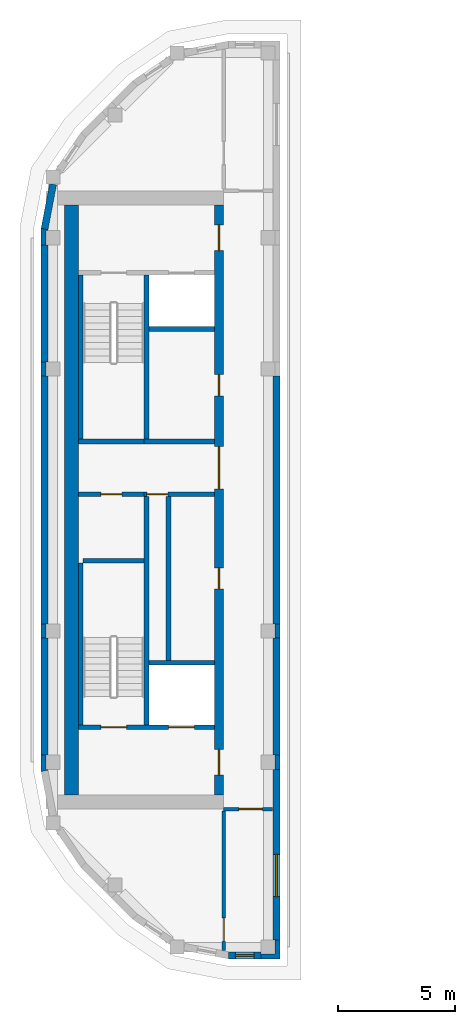
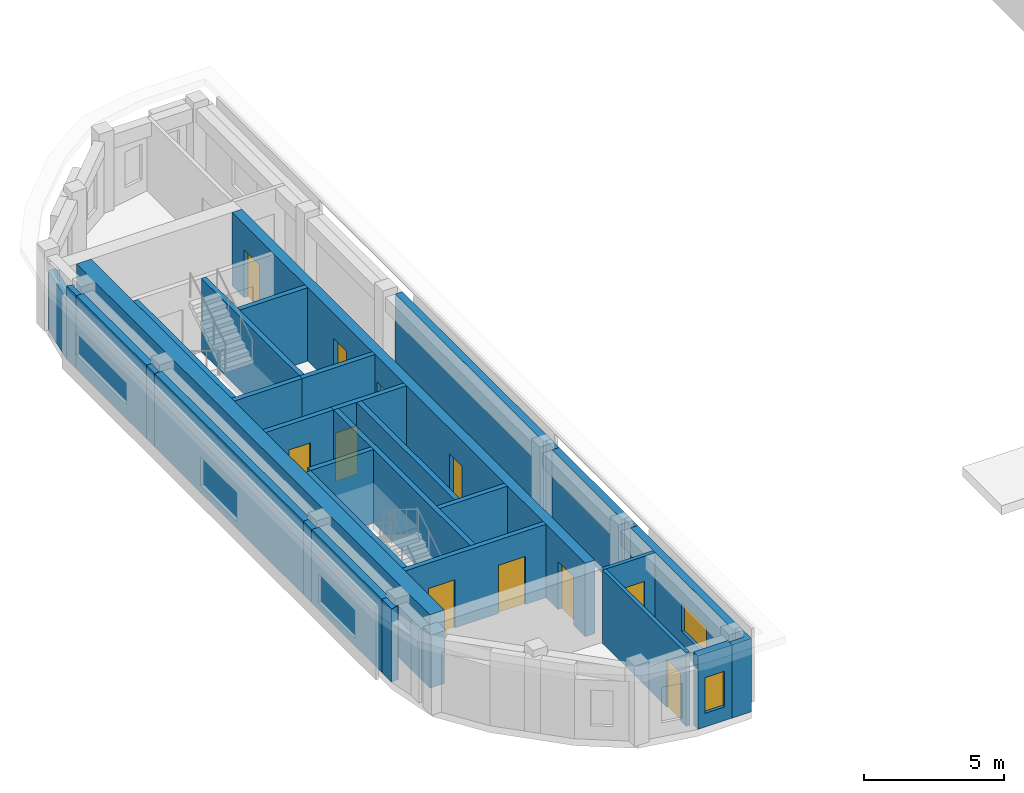
# One storey, part 2 of 11: 32 walls, 11 doors, 2 windows, 13 openings.
"""IFC4 building model written with IfcOpenShell, lengths in metres."""

from ifc_helpers import new_model, si_unit, direction, frame, frame_2d, origin, place, context, subcontext, project, spatial, polyline, rectangle, outline, extrude, material, layer, layer_set, type_object, element, fill, save


model = new_model("IFC4")

# Units and contexts
model_context = context("Model", 3, precision=1e-05, world=origin(), true_north=direction((0.0, 1.0)))
body_context = subcontext(model_context, "Body", "Model", "MODEL_VIEW")
ifc_project = project(units=[si_unit("LENGTHUNIT", "METRE"), si_unit("AREAUNIT", "SQUARE_METRE"), si_unit("VOLUMEUNIT", "CUBIC_METRE"), si_unit("PLANEANGLEUNIT", "RADIAN"), si_unit("MASSUNIT", "GRAM", prefix="KILO")], contexts=[model_context])

# Site, building, storey
site_placement = place(None, origin())
site = spatial("IfcSite", under=ifc_project, at=site_placement, CompositionType="ELEMENT")
building_placement = place(site_placement, origin())
building = spatial("IfcBuilding", under=site, at=building_placement, Name="Kiln Ring Residences", CompositionType="ELEMENT")
storey_placement = place(building_placement, frame((0.0, 0.0, 303.39990234375)))
storey = spatial("IfcBuildingStorey", under=building, at=storey_placement, Name="L78 Crown", CompositionType="ELEMENT", Elevation=303.39990234375)

# Wall, opening, door
ifc_material_1 = material(Name="Gypsum board on steel studs", Category="steel")
ifc_layer_1 = layer(ifc_material_1, 0.199951171875)
ifc_layer_set_1 = layer_set([ifc_layer_1], Name="CORE-PARTITION-200")
wall_type_1 = type_object("IfcWallType", Name="CORE-PARTITION-200", PredefinedType="PARTITIONING", material=ifc_layer_set_1)
wall_1_placement = place(storey_placement, frame((-20.800048828125, 0.25, 0.0), z_axis=(0.0, 0.0, 1.0), x_axis=(-1.0, 0.0, 0.0)))
wall_1 = element("IfcWall", 1, at=wall_1_placement, inside=storey, type_object=wall_type_1, Name="Core partition west L78 Crown 1", PredefinedType="PARTITIONING", context=body_context, shape_type="SweptSolid", body=[
    extrude(rectangle(XDim=2.800048828125, YDim=0.199951171875, at=frame_2d((1.39990234375, 0.0))), origin(), (0.0, 0.0, 1.0), 3.2001953125),
])
opening_1_placement = place(wall_1_placement, frame((0.949951171875, 0.0, 0.0)))
opening_1 = element("IfcOpeningElement", 2, at=opening_1_placement, cuts=wall_1, Name="Opening L78-CW11", PredefinedType="OPENING", context=body_context, shape_type="SweptSolid", body=[
    extrude(rectangle(XDim=0.89990234375, YDim=2.10009765625, at=frame_2d((0.449951171875, 1.050048828125))), frame((0.0, 0.10986328125, 0.0), z_axis=(0.0, -1.0, 0.0), x_axis=(1.0, 0.0, 0.0)), (0.0, 0.0, 1.0), 0.219970703125),
])
ifc_material_2 = material(Name="Steel door leaf", Category="steel")
door_type_1 = type_object("IfcDoorType", Name="CORE-DOOR-ROOM", OperationType="SINGLE_SWING_LEFT", PredefinedType="DOOR", material=ifc_material_2)
door_1_placement = place(opening_1_placement, origin())
door_1 = element("IfcDoor", 3, at=door_1_placement, inside=storey, type_object=door_type_1, Name="Linen store L78-CW11", OperationType="SINGLE_SWING_LEFT", OverallHeight=2.10009765625, OverallWidth=0.89990234375, PredefinedType="DOOR", context=body_context, shape_type="SweptSolid", body=[
    extrude(rectangle(XDim=0.89990234375, YDim=2.10009765625, at=frame_2d((0.449951171875, 1.050048828125))), frame((0.0, 0.02490234375, 0.0), z_axis=(0.0, -1.0, 0.0), x_axis=(1.0, 0.0, 0.0)), (0.0, 0.0, 1.0), 0.050048828125),
])
fill(opening_1, door_1)

# Walls
wall_2_placement = place(storey_placement, frame((-19.760009765625, -6.85009765625, 0.0), z_axis=(0.0, 0.0, 1.0), x_axis=(0.0, 1.0, 0.0)))
element("IfcWall", 4, at=wall_2_placement, inside=storey, type_object=wall_type_1, Name="Core partition west L78 Crown 2", PredefinedType="PARTITIONING", context=body_context, shape_type="SweptSolid", body=[
    extrude(rectangle(XDim=7.0, YDim=0.199951171875, at=frame_2d((3.5, 0.0))), origin(), (0.0, 0.0, 1.0), 3.2001953125),
])
ifc_material_3 = material(Name="Gypsum shaft wall system")
ifc_layer_2 = layer(ifc_material_3, 0.199951171875)
ifc_layer_set_2 = layer_set([ifc_layer_2], Name="CORE-SHAFT-WALL-200")
wall_type_2 = type_object("IfcWallType", Name="CORE-SHAFT-WALL-200", PredefinedType="PARTITIONING", material=ifc_layer_set_2)
wall_3_placement = place(storey_placement, frame((-17.800048828125, -6.949951171875, 0.0), z_axis=(0.0, 0.0, 1.0), x_axis=(-1.0, 0.0, 0.0)))
element("IfcWall", 5, at=wall_3_placement, inside=storey, type_object=wall_type_2, Name="Core partition west L78 Crown 3", PredefinedType="PARTITIONING", context=body_context, shape_type="SweptSolid", body=[
    extrude(rectangle(XDim=2.800048828125, YDim=0.199951171875, at=frame_2d((1.39990234375, 0.0))), origin(), (0.0, 0.0, 1.0), 3.2001953125),
])

# Wall, opening, door
wall_4_placement = place(storey_placement, frame((-17.800048828125, 0.25, 0.0), z_axis=(0.0, 0.0, 1.0), x_axis=(-1.0, 0.0, 0.0)))
wall_4 = element("IfcWall", 6, at=wall_4_placement, inside=storey, type_object=wall_type_2, Name="Core partition west L78 Crown 4", PredefinedType="PARTITIONING", context=body_context, shape_type="SweptSolid", body=[
    extrude(rectangle(XDim=3.0, YDim=0.199951171875, at=frame_2d((1.5, 0.0))), origin(), (0.0, 0.0, 1.0), 3.2001953125),
])
opening_2_placement = place(wall_4_placement, frame((1.97998046875, 0.0, 0.0)))
opening_2 = element("IfcOpeningElement", 7, at=opening_2_placement, cuts=wall_4, Name="Opening L78-CW03", PredefinedType="OPENING", context=body_context, shape_type="SweptSolid", body=[
    extrude(rectangle(XDim=0.89990234375, YDim=2.10009765625, at=frame_2d((0.449951171875, 1.050048828125))), frame((0.0, 0.10986328125, 0.0), z_axis=(0.0, -1.0, 0.0), x_axis=(1.0, 0.0, 0.0)), (0.0, 0.0, 1.0), 0.219970703125),
])
door_2_placement = place(opening_2_placement, origin())
door_2 = element("IfcDoor", 8, at=door_2_placement, inside=storey, type_object=door_type_1, Name="Waste room L78-CW03", OperationType="SINGLE_SWING_LEFT", OverallHeight=2.10009765625, OverallWidth=0.89990234375, PredefinedType="DOOR", context=body_context, shape_type="SweptSolid", body=[
    extrude(rectangle(XDim=0.89990234375, YDim=2.10009765625, at=frame_2d((0.449951171875, 1.050048828125))), frame((0.0, 0.02490234375, 0.0), z_axis=(0.0, -1.0, 0.0), x_axis=(1.0, 0.0, 0.0)), (0.0, 0.0, 1.0), 0.050048828125),
])
fill(opening_2, door_2)

# Walls
wall_5_placement = place(storey_placement, frame((-17.800048828125, 2.5, 0.0), z_axis=(0.0, 0.0, 1.0), x_axis=(-1.0, 0.0, 0.0)))
element("IfcWall", 9, at=wall_5_placement, inside=storey, type_object=wall_type_2, Name="Core partition west L78 Crown 5", PredefinedType="PARTITIONING", context=body_context, shape_type="SweptSolid", body=[
    extrude(rectangle(XDim=3.0, YDim=0.199951171875, at=frame_2d((1.5, 0.0))), origin(), (0.0, 0.0, 1.0), 3.2001953125),
])
wall_6_placement = place(storey_placement, frame((-17.800048828125, 7.300048828125, 0.0), z_axis=(0.0, 0.0, 1.0), x_axis=(-1.0, 0.0, 0.0)))
element("IfcWall", 10, at=wall_6_placement, inside=storey, type_object=wall_type_2, Name="Core partition west L78 Crown 6", PredefinedType="PARTITIONING", context=body_context, shape_type="SweptSolid", body=[
    extrude(rectangle(XDim=2.800048828125, YDim=0.199951171875, at=frame_2d((1.39990234375, 0.0))), origin(), (0.0, 0.0, 1.0), 3.2001953125),
])
ifc_material_4 = material(Name="Concrete C40/50", Category="concrete")
ifc_layer_3 = layer(ifc_material_4, 0.199951171875)
ifc_layer_set_3 = layer_set([ifc_layer_3], Name="CORE-WALL-RC200")
wall_type_3 = type_object("IfcWallType", Name="CORE-WALL-RC200", PredefinedType="SHEAR", material=ifc_layer_set_3)
wall_7_placement = place(storey_placement, frame((-20.699951171875, 2.60009765625, 0.0), z_axis=(0.0, 0.0, 1.0), x_axis=(0.0, 1.0, 0.0)))
element("IfcWall", 11, at=wall_7_placement, inside=storey, type_object=wall_type_3, Name="Core wall west L78 Crown 1", PredefinedType="SHEAR", context=body_context, shape_type="SweptSolid", body=[
    extrude(rectangle(XDim=7.0, YDim=0.199951171875, at=frame_2d((3.5, 0.0))), origin(), (0.0, 0.0, 1.0), 3.2001953125),
])
wall_8_placement = place(storey_placement, frame((-20.699951171875, -9.60009765625, 0.0), z_axis=(0.0, 0.0, 1.0), x_axis=(0.0, 1.0, 0.0)))
element("IfcWall", 12, at=wall_8_placement, inside=storey, type_object=wall_type_3, Name="Core wall west L78 Crown 2", PredefinedType="SHEAR", context=body_context, shape_type="SweptSolid", body=[
    extrude(rectangle(XDim=9.75, YDim=0.199951171875, at=frame_2d((4.875, 0.0))), origin(), (0.0, 0.0, 1.0), 3.2001953125),
])
wall_9_placement = place(storey_placement, frame((-20.800048828125, 2.5, 0.0), z_axis=(0.0, 0.0, 1.0), x_axis=(-1.0, 0.0, 0.0)))
element("IfcWall", 13, at=wall_9_placement, inside=storey, type_object=wall_type_3, Name="Core wall west L78 Crown 3", PredefinedType="SHEAR", context=body_context, shape_type="SweptSolid", body=[
    extrude(rectangle(XDim=2.800048828125, YDim=0.199951171875, at=frame_2d((1.39990234375, 0.0))), origin(), (0.0, 0.0, 1.0), 3.2001953125),
])

# Wall, openings, doors
wall_10_placement = place(storey_placement, frame((-17.800048828125, -9.699951171875, 0.0), z_axis=(0.0, 0.0, 1.0), x_axis=(-1.0, 0.0, 0.0)))
wall_10 = element("IfcWall", 14, at=wall_10_placement, inside=storey, type_object=wall_type_3, Name="Core wall west L78 Crown 8", PredefinedType="SHEAR", context=body_context, shape_type="SweptSolid", body=[
    extrude(rectangle(XDim=5.800048828125, YDim=0.199951171875, at=frame_2d((2.89990234375, 0.0))), origin(), (0.0, 0.0, 1.0), 3.2001953125),
])
opening_3_placement = place(wall_10_placement, frame((0.85009765625, 0.0, 0.0)))
opening_3 = element("IfcOpeningElement", 15, at=opening_3_placement, cuts=wall_10, Name="Opening L78-CW01", PredefinedType="OPENING", context=body_context, shape_type="SweptSolid", body=[
    extrude(rectangle(XDim=1.10009765625, YDim=2.10009765625, at=frame_2d((0.550048828125, 1.050048828125))), frame((0.0, 0.10986328125, 0.0), z_axis=(0.0, -1.0, 0.0), x_axis=(1.0, 0.0, 0.0)), (0.0, 0.0, 1.0), 0.219970703125),
])
opening_4_placement = place(wall_10_placement, frame((3.75, 0.0, 0.0)))
opening_4 = element("IfcOpeningElement", 16, at=opening_4_placement, cuts=wall_10, Name="Opening L78-CW09", PredefinedType="OPENING", context=body_context, shape_type="SweptSolid", body=[
    extrude(rectangle(XDim=1.10009765625, YDim=2.10009765625, at=frame_2d((0.550048828125, 1.050048828125))), frame((0.0, 0.10986328125, 0.0), z_axis=(0.0, -1.0, 0.0), x_axis=(1.0, 0.0, 0.0)), (0.0, 0.0, 1.0), 0.219970703125),
])
ifc_material_5 = material(Name="Steel door leaf", Category="steel")
door_type_2 = type_object("IfcDoorType", Name="CORE-DOOR-LD", OperationType="DOUBLE_DOOR_SLIDING", PredefinedType="DOOR", material=ifc_material_5)
door_3_placement = place(opening_3_placement, origin())
door_3 = element("IfcDoor", 17, at=door_3_placement, inside=storey, type_object=door_type_2, Name="LD W-SV L78-CW01", OperationType="DOUBLE_DOOR_SLIDING", OverallHeight=2.10009765625, OverallWidth=1.10009765625, PredefinedType="DOOR", context=body_context, shape_type="SweptSolid", body=[
    extrude(rectangle(XDim=1.10009765625, YDim=2.10009765625, at=frame_2d((0.550048828125, 1.050048828125))), frame((0.0, 0.02490234375, 0.0), z_axis=(0.0, -1.0, 0.0), x_axis=(1.0, 0.0, 0.0)), (0.0, 0.0, 1.0), 0.050048828125),
])
fill(opening_3, door_3)
ifc_material_6 = material(Name="Steel door leaf", Category="steel")
door_type_3 = type_object("IfcDoorType", Name="CORE-DOOR-STAIR", OperationType="SINGLE_SWING_LEFT", PredefinedType="DOOR", material=ifc_material_6)
door_4_placement = place(opening_4_placement, origin())
door_4 = element("IfcDoor", 18, at=door_4_placement, inside=storey, type_object=door_type_3, Name="Stair W-STS L78-CW09", OperationType="SINGLE_SWING_RIGHT", OverallHeight=2.10009765625, OverallWidth=1.10009765625, PredefinedType="DOOR", context=body_context, shape_type="SweptSolid", body=[
    extrude(rectangle(XDim=1.10009765625, YDim=2.10009765625, at=frame_2d((0.550048828125, 1.050048828125))), frame((0.0, 0.02490234375, 0.0), z_axis=(0.0, -1.0, 0.0), x_axis=(1.0, 0.0, 0.0)), (0.0, 0.0, 1.0), 0.050048828125),
])
fill(opening_4, door_4)

# Walls
wall_11_placement = place(storey_placement, frame((-23.5, 2.60009765625, 0.0), z_axis=(0.0, 0.0, 1.0), x_axis=(0.0, 1.0, 0.0)))
element("IfcWall", 19, at=wall_11_placement, inside=storey, type_object=wall_type_3, Name="Core wall west L78 Crown 10", PredefinedType="SHEAR", context=body_context, shape_type="SweptSolid", body=[
    extrude(rectangle(XDim=7.0, YDim=0.199951171875, at=frame_2d((3.5, 0.0))), origin(), (0.0, 0.0, 1.0), 3.2001953125),
])
wall_12_placement = place(storey_placement, frame((-23.5, -9.60009765625, 0.0), z_axis=(0.0, 0.0, 1.0), x_axis=(0.0, 1.0, 0.0)))
element("IfcWall", 20, at=wall_12_placement, inside=storey, type_object=wall_type_3, Name="Core wall west L78 Crown 11", PredefinedType="SHEAR", context=body_context, shape_type="SweptSolid", body=[
    extrude(rectangle(XDim=6.900146484375, YDim=0.199951171875, at=frame_2d((3.4501953125, 0.0))), origin(), (0.0, 0.0, 1.0), 3.2001953125),
])
wall_13_placement = place(storey_placement, frame((-20.800048828125, -2.60009765625, 0.0), z_axis=(0.0, 0.0, 1.0), x_axis=(-1.0, 0.0, 0.0)))
element("IfcWall", 21, at=wall_13_placement, inside=storey, type_object=wall_type_3, Name="Core wall west L78 Crown 12", PredefinedType="SHEAR", context=body_context, shape_type="SweptSolid", body=[
    extrude(rectangle(XDim=2.599853515625, YDim=0.199951171875, at=frame_2d((1.2998046875, 0.0))), origin(), (0.0, 0.0, 1.0), 3.2001953125),
])

# Wall, openings, doors
ifc_material_7 = material(Name="Concrete C60/75", Category="concrete")
ifc_layer_4 = layer(ifc_material_7, 0.39990234375)
ifc_layer_set_4 = layer_set([ifc_layer_4], Name="CORE-WALL-RC400")
wall_type_4 = type_object("IfcWallType", Name="CORE-WALL-RC400", PredefinedType="SHEAR", material=ifc_layer_set_4)
wall_14_placement = place(storey_placement, frame((-17.60009765625, -12.60009765625, 0.0), z_axis=(0.0, 0.0, 1.0), x_axis=(0.0, 1.0, 0.0)))
wall_14 = element("IfcWall", 22, at=wall_14_placement, inside=storey, type_object=wall_type_4, Name="Core wall west L78 Crown 6", PredefinedType="SHEAR", context=body_context, shape_type="SweptSolid", body=[
    extrude(rectangle(XDim=25.2001953125, YDim=0.39990234375, at=frame_2d((12.60009765625, 0.0))), origin(), (0.0, 0.0, 1.0), 3.2001953125),
])
opening_5_placement = place(wall_14_placement, frame((8.800048828125, 0.0, 0.0)))
opening_5 = element("IfcOpeningElement", 23, at=opening_5_placement, cuts=wall_14, Name="Opening L78-CW02", PredefinedType="OPENING", context=body_context, shape_type="SweptSolid", body=[
    extrude(rectangle(XDim=0.89990234375, YDim=2.10009765625, at=frame_2d((0.449951171875, 1.050048828125))), frame((0.0, 0.2099609375, 0.0), z_axis=(0.0, -1.0, 0.0), x_axis=(1.0, 0.0, 0.0)), (0.0, 0.0, 1.0), 0.419921875),
])
opening_6_placement = place(wall_14_placement, frame((17.050048828125, 0.0, 0.0)))
opening_6 = element("IfcOpeningElement", 24, at=opening_6_placement, cuts=wall_14, Name="Opening L78-CW04", PredefinedType="OPENING", context=body_context, shape_type="SweptSolid", body=[
    extrude(rectangle(XDim=0.89990234375, YDim=2.10009765625, at=frame_2d((0.449951171875, 1.050048828125))), frame((0.0, 0.2099609375, 0.0), z_axis=(0.0, -1.0, 0.0), x_axis=(1.0, 0.0, 0.0)), (0.0, 0.0, 1.0), 0.419921875),
])
opening_7_placement = place(wall_14_placement, frame((23.25, 0.0, 0.0)))
opening_7 = element("IfcOpeningElement", 25, at=opening_7_placement, cuts=wall_14, Name="Opening L78-CW06", PredefinedType="OPENING", context=body_context, shape_type="SweptSolid", body=[
    extrude(rectangle(XDim=1.10009765625, YDim=2.10009765625, at=frame_2d((0.550048828125, 1.050048828125))), frame((0.0, 0.2099609375, 0.0), z_axis=(0.0, -1.0, 0.0), x_axis=(1.0, 0.0, 0.0)), (0.0, 0.0, 1.0), 0.419921875),
])
opening_8_placement = place(wall_14_placement, frame((0.85009765625, 0.0, 0.0)))
opening_8 = element("IfcOpeningElement", 26, at=opening_8_placement, cuts=wall_14, Name="Opening L78-CW07", PredefinedType="OPENING", context=body_context, shape_type="SweptSolid", body=[
    extrude(rectangle(XDim=1.10009765625, YDim=2.10009765625, at=frame_2d((0.550048828125, 1.050048828125))), frame((0.0, 0.2099609375, 0.0), z_axis=(0.0, -1.0, 0.0), x_axis=(1.0, 0.0, 0.0)), (0.0, 0.0, 1.0), 0.419921875),
])
opening_9_placement = place(wall_14_placement, frame((13.074951171875, 0.0, 0.0)))
opening_9 = element("IfcOpeningElement", 27, at=opening_9_placement, cuts=wall_14, Name="Opening L78-CW10", PredefinedType="OPENING", context=body_context, shape_type="SweptSolid", body=[
    extrude(rectangle(XDim=1.800048828125, YDim=2.10009765625, at=frame_2d((0.89990234375, 1.050048828125))), frame((0.0, 0.2099609375, 0.0), z_axis=(0.0, -1.0, 0.0), x_axis=(1.0, 0.0, 0.0)), (0.0, 0.0, 1.0), 0.419921875),
])
ifc_material_8 = material(Name="Steel door leaf", Category="steel")
door_type_4 = type_object("IfcDoorType", Name="CORE-DOOR-LOBBY", OperationType="SINGLE_SWING_LEFT", PredefinedType="DOOR", material=ifc_material_8)
door_5_placement = place(opening_7_placement, origin())
door_5 = element("IfcDoor", 28, at=door_5_placement, inside=storey, type_object=door_type_4, Name="FFL L78-CW06", OperationType="SINGLE_SWING_LEFT", OverallHeight=2.10009765625, OverallWidth=1.10009765625, PredefinedType="DOOR", context=body_context, shape_type="SweptSolid", body=[
    extrude(rectangle(XDim=1.10009765625, YDim=2.10009765625, at=frame_2d((0.550048828125, 1.050048828125))), frame((0.0, 0.02490234375, 0.0), z_axis=(0.0, -1.0, 0.0), x_axis=(1.0, 0.0, 0.0)), (0.0, 0.0, 1.0), 0.050048828125),
])
fill(opening_7, door_5)
door_6_placement = place(opening_8_placement, origin())
door_6 = element("IfcDoor", 29, at=door_6_placement, inside=storey, type_object=door_type_4, Name="SVL L78-CW07", OperationType="SINGLE_SWING_RIGHT", OverallHeight=2.10009765625, OverallWidth=1.10009765625, PredefinedType="DOOR", context=body_context, shape_type="SweptSolid", body=[
    extrude(rectangle(XDim=1.10009765625, YDim=2.10009765625, at=frame_2d((0.550048828125, 1.050048828125))), frame((0.0, 0.02490234375, 0.0), z_axis=(0.0, -1.0, 0.0), x_axis=(1.0, 0.0, 0.0)), (0.0, 0.0, 1.0), 0.050048828125),
])
fill(opening_8, door_6)
ifc_material_9 = material(Name="Steel door leaf", Category="steel")
door_type_5 = type_object("IfcDoorType", Name="CORE-DOOR-PASS", OperationType="DOUBLE_DOOR_SINGLE_SWING", PredefinedType="DOOR", material=ifc_material_9)
door_7_placement = place(opening_9_placement, origin())
door_7 = element("IfcDoor", 30, at=door_7_placement, inside=storey, type_object=door_type_5, Name="Core passage L78-CW10", OperationType="DOUBLE_DOOR_SINGLE_SWING", OverallHeight=2.10009765625, OverallWidth=1.800048828125, PredefinedType="DOOR", context=body_context, shape_type="SweptSolid", body=[
    extrude(rectangle(XDim=1.800048828125, YDim=2.10009765625, at=frame_2d((0.89990234375, 1.050048828125))), frame((0.0, 0.02490234375, 0.0), z_axis=(0.0, -1.0, 0.0), x_axis=(1.0, 0.0, 0.0)), (0.0, 0.0, 1.0), 0.050048828125),
])
fill(opening_9, door_7)
door_8_placement = place(opening_5_placement, origin())
door_8 = element("IfcDoor", 31, at=door_8_placement, inside=storey, type_object=door_type_1, Name="Janitor's store L78-CW02", OperationType="SINGLE_SWING_RIGHT", OverallHeight=2.10009765625, OverallWidth=0.89990234375, PredefinedType="DOOR", context=body_context, shape_type="SweptSolid", body=[
    extrude(rectangle(XDim=0.89990234375, YDim=2.10009765625, at=frame_2d((0.449951171875, 1.050048828125))), frame((0.0, 0.02490234375, 0.0), z_axis=(0.0, -1.0, 0.0), x_axis=(1.0, 0.0, 0.0)), (0.0, 0.0, 1.0), 0.050048828125),
])
fill(opening_5, door_8)
door_9_placement = place(opening_6_placement, origin())
door_9 = element("IfcDoor", 32, at=door_9_placement, inside=storey, type_object=door_type_1, Name="Goods store L78-CW04", OperationType="SINGLE_SWING_RIGHT", OverallHeight=2.10009765625, OverallWidth=0.89990234375, PredefinedType="DOOR", context=body_context, shape_type="SweptSolid", body=[
    extrude(rectangle(XDim=0.89990234375, YDim=2.10009765625, at=frame_2d((0.449951171875, 1.050048828125))), frame((0.0, 0.02490234375, 0.0), z_axis=(0.0, -1.0, 0.0), x_axis=(1.0, 0.0, 0.0)), (0.0, 0.0, 1.0), 0.050048828125),
])
fill(opening_6, door_9)

# Wall
ifc_material_10 = material(Name="Concrete C60/75", Category="concrete")
ifc_layer_5 = layer(ifc_material_10, 0.60009765625)
ifc_layer_set_5 = layer_set([ifc_layer_5], Name="CORE-WALL-RC600")
wall_type_5 = type_object("IfcWallType", Name="CORE-WALL-RC600", PredefinedType="SHEAR", material=ifc_layer_set_5)
wall_15_placement = place(storey_placement, frame((-23.89990234375, -12.60009765625, 0.0), z_axis=(0.0, 0.0, 1.0), x_axis=(0.0, 1.0, 0.0)))
element("IfcWall", 33, at=wall_15_placement, inside=storey, type_object=wall_type_5, Name="Core wall west L78 Crown 7", PredefinedType="SHEAR", context=body_context, shape_type="SweptSolid", body=[
    extrude(rectangle(XDim=25.2001953125, YDim=0.60009765625, at=frame_2d((12.60009765625, 0.0))), origin(), (0.0, 0.0, 1.0), 3.2001953125),
])

# Wall, opening, window
ifc_material_11 = material(Name="Brick masonry, dark clay brick", Category="masonry")
ifc_layer_6 = layer(ifc_material_11, 0.300048828125)
ifc_layer_set_6 = layer_set([ifc_layer_6], Name="EW-300 BRICK WALL")
wall_type_6 = type_object("IfcWallType", Name="EW-300 BRICK WALL", PredefinedType="SOLIDWALL", material=ifc_layer_set_6)
wall_16_placement = place(storey_placement, frame((-17.199951171875, -19.449951171875, 0.0), z_axis=(0.0, 0.0, 1.0), x_axis=(1.0, 0.0, 0.0)))
wall_16 = element("IfcWall", 34, at=wall_16_placement, inside=storey, type_object=wall_type_6, Name="Facade wall L78 Crown 3", PredefinedType="SOLIDWALL", context=body_context, shape_type="SweptSolid", body=[
    extrude(rectangle(XDim=1.39990234375, YDim=0.300048828125, at=frame_2d((0.699951171875, 0.0))), origin(), (0.0, 0.0, 1.0), 3.2001953125),
])
opening_10_placement = place(wall_16_placement, frame((0.300048828125, 0.0, 0.60009765625)))
opening_10 = element("IfcOpeningElement", 35, at=opening_10_placement, cuts=wall_16, Name="Opening W5", PredefinedType="OPENING", context=body_context, shape_type="SweptSolid", body=[
    extrude(rectangle(XDim=0.800048828125, YDim=1.550048828125, at=frame_2d((0.39990234375, 0.77490234375))), frame((0.0, 0.159912109375, 0.0), z_axis=(0.0, -1.0, 0.0), x_axis=(1.0, 0.0, 0.0)), (0.0, 0.0, 1.0), 0.320068359375),
])
ifc_material_12 = material(Name="Aluminium frame with double glazing", Category="aluminium")
window_type_1 = type_object("IfcWindowType", Name="WINDOW 800 x 1550", PartitioningType="SINGLE_PANEL", PredefinedType="WINDOW", material=ifc_material_12)
window_1_placement = place(opening_10_placement, origin())
window_1 = element("IfcWindow", 36, at=window_1_placement, inside=storey, type_object=window_type_1, Name="Window L78 Crown 3", OverallHeight=1.550048828125, OverallWidth=0.800048828125, PartitioningType="SINGLE_PANEL", PredefinedType="WINDOW", context=body_context, shape_type="SweptSolid", body=[
    extrude(rectangle(XDim=0.800048828125, YDim=1.550048828125, at=frame_2d((0.39990234375, 0.77490234375))), frame((0.0, 0.030029296875, 0.0), z_axis=(0.0, -1.0, 0.0), x_axis=(1.0, 0.0, 0.0)), (0.0, 0.0, 1.0), 0.06005859375),
])
fill(opening_10, window_1)

wall_17_placement = place(storey_placement, frame((-15.14990234375, -18.800048828125, 0.0), z_axis=(0.0, 0.0, 1.0), x_axis=(0.0, 1.0, 0.0)))
wall_17 = element("IfcWall", 37, at=wall_17_placement, inside=storey, type_object=wall_type_6, Name="Facade wall L78 Crown 4", PredefinedType="SOLIDWALL", context=body_context, shape_type="SweptSolid", body=[
    extrude(rectangle(XDim=7.300048828125, YDim=0.300048828125, at=frame_2d((3.64990234375, 0.0))), origin(), (0.0, 0.0, 1.0), 3.2001953125),
])
opening_11_placement = place(wall_17_placement, frame((1.862548828125, 0.0, 0.89990234375)))
opening_11 = element("IfcOpeningElement", 38, at=opening_11_placement, cuts=wall_17, Name="Opening W2", PredefinedType="OPENING", context=body_context, shape_type="SweptSolid", body=[
    extrude(rectangle(XDim=1.800048828125, YDim=1.25, at=frame_2d((0.89990234375, 0.625))), frame((0.0, 0.159912109375, 0.0), z_axis=(0.0, -1.0, 0.0), x_axis=(1.0, 0.0, 0.0)), (0.0, 0.0, 1.0), 0.320068359375),
])
ifc_material_13 = material(Name="Aluminium frame with double glazing", Category="aluminium")
window_type_2 = type_object("IfcWindowType", Name="WINDOW 1800 x 1250", PartitioningType="SINGLE_PANEL", PredefinedType="WINDOW", material=ifc_material_13)
window_2_placement = place(opening_11_placement, origin())
window_2 = element("IfcWindow", 39, at=window_2_placement, inside=storey, type_object=window_type_2, Name="Window L78 Crown 4", OverallHeight=1.25, OverallWidth=1.800048828125, PartitioningType="SINGLE_PANEL", PredefinedType="WINDOW", context=body_context, shape_type="SweptSolid", body=[
    extrude(rectangle(XDim=1.800048828125, YDim=1.25, at=frame_2d((0.89990234375, 0.625))), frame((0.0, 0.030029296875, 0.0), z_axis=(0.0, -1.0, 0.0), x_axis=(1.0, 0.0, 0.0)), (0.0, 0.0, 1.0), 0.06005859375),
])
fill(opening_11, window_2)

# Walls
wall_18_placement = place(storey_placement, frame((-15.14990234375, -10.89990234375, 0.0), z_axis=(0.0, 0.0, 1.0), x_axis=(0.0, 1.0, 0.0)))
element("IfcWall", 40, at=wall_18_placement, inside=storey, type_object=wall_type_6, Name="Facade wall L78 Crown 5", PredefinedType="SOLIDWALL", context=body_context, shape_type="SweptSolid", body=[
    extrude(rectangle(XDim=5.0, YDim=0.300048828125, at=frame_2d((2.5, 0.0))), origin(), (0.0, 0.0, 1.0), 3.2001953125),
])
wall_19_placement = place(storey_placement, frame((-15.14990234375, -5.300048828125, 0.0), z_axis=(0.0, 0.0, 1.0), x_axis=(0.0, 1.0, 0.0)))
element("IfcWall", 41, at=wall_19_placement, inside=storey, type_object=wall_type_6, Name="Facade wall L78 Crown 6", PredefinedType="SOLIDWALL", context=body_context, shape_type="SweptSolid", body=[
    extrude(rectangle(XDim=10.60009765625, YDim=0.300048828125, at=frame_2d((5.300048828125, 0.0))), origin(), (0.0, 0.0, 1.0), 3.2001953125),
])
wall_20_placement = place(storey_placement, frame((-24.687744140625, 13.485107421875, 0.0), z_axis=(0.0, 0.0, 1.0), x_axis=(-0.187354129902, -0.982292436095, 0.0)))
element("IfcWall", 42, at=wall_20_placement, inside=storey, type_object=wall_type_6, Name="Facade wall L78 Crown 15", PredefinedType="SOLIDWALL", context=body_context, shape_type="SweptSolid", body=[
    extrude(rectangle(XDim=1.94677734375, YDim=0.300048828125, at=frame_2d((0.973388671875, 0.0))), origin(), (0.0, 0.0, 1.0), 2.60009765625),
])
wall_21_placement = place(storey_placement, frame((-25.050048828125, 10.89990234375, 0.0), z_axis=(0.0, 0.0, 1.0), x_axis=(0.0, -1.0, 0.0)))
element("IfcWall", 43, at=wall_21_placement, inside=storey, type_object=wall_type_6, Name="Facade wall L78 Crown 16", PredefinedType="SOLIDWALL", context=body_context, shape_type="SweptSolid", body=[
    extrude(rectangle(XDim=5.0, YDim=0.300048828125, at=frame_2d((2.5, 0.0))), origin(), (0.0, 0.0, 1.0), 3.2001953125),
])
wall_22_placement = place(storey_placement, frame((-25.050048828125, 5.300048828125, 0.0), z_axis=(0.0, 0.0, 1.0), x_axis=(0.0, -1.0, 0.0)))
element("IfcWall", 44, at=wall_22_placement, inside=storey, type_object=wall_type_6, Name="Facade wall L78 Crown 17", PredefinedType="SOLIDWALL", context=body_context, shape_type="SweptSolid", body=[
    extrude(rectangle(XDim=10.60009765625, YDim=0.300048828125, at=frame_2d((5.300048828125, 0.0))), origin(), (0.0, 0.0, 1.0), 3.2001953125),
])
wall_23_placement = place(storey_placement, frame((-25.050048828125, -5.89990234375, 0.0), z_axis=(0.0, 0.0, 1.0), x_axis=(0.0, -1.0, 0.0)))
element("IfcWall", 45, at=wall_23_placement, inside=storey, type_object=wall_type_6, Name="Facade wall L78 Crown 18", PredefinedType="SOLIDWALL", context=body_context, shape_type="SweptSolid", body=[
    extrude(rectangle(XDim=5.0, YDim=0.300048828125, at=frame_2d((2.5, 0.0))), origin(), (0.0, 0.0, 1.0), 3.2001953125),
])
placement = place(storey_placement, origin())
element("IfcWall", 46, at=placement, inside=storey, type_object=wall_type_6, Name="Corner wall L78 Crown 1", PredefinedType="SOLIDWALL", context=body_context, shape_type="SweptSolid", body=[
    extrude(outline(polyline([(-25.199951171875, -10.89990234375), (-25.199951171875, -11.600830078125), (-24.9033203125, -11.544189453125), (-24.89990234375, -11.56103515625), (-24.89990234375, -11.5), (-25.0, -11.5), (-25.0, -10.89990234375), (-25.199951171875, -10.89990234375)])), origin(), (0.0, 0.0, 1.0), 3.2001953125),
])
element("IfcWall", 47, at=placement, inside=storey, type_object=wall_type_6, Name="Corner wall L78 Crown 2", PredefinedType="SOLIDWALL", context=body_context, shape_type="SweptSolid", body=[
    extrude(outline(polyline([(-25.0, -5.300048828125), (-25.199951171875, -5.300048828125), (-25.199951171875, -5.89990234375), (-24.89990234375, -5.89990234375), (-25.0, -5.89990234375), (-25.0, -5.300048828125)])), origin(), (0.0, 0.0, 1.0), 3.2001953125),
])
element("IfcWall", 48, at=placement, inside=storey, type_object=wall_type_6, Name="Corner wall L78 Crown 3", PredefinedType="SOLIDWALL", context=body_context, shape_type="SweptSolid", body=[
    extrude(outline(polyline([(-25.0, 5.89990234375), (-25.199951171875, 5.89990234375), (-25.199951171875, 5.300048828125), (-25.0, 5.300048828125), (-25.0, 5.89990234375)])), origin(), (0.0, 0.0, 1.0), 3.2001953125),
])
element("IfcWall", 49, at=placement, inside=storey, type_object=wall_type_6, Name="Corner wall L78 Crown 4", PredefinedType="SOLIDWALL", context=body_context, shape_type="SweptSolid", body=[
    extrude(outline(polyline([(-25.199951171875, 11.600830078125), (-25.199951171875, 10.89990234375), (-25.0, 10.89990234375), (-25.0, 11.5), (-24.89990234375, 11.5), (-24.89990234375, 11.56103515625), (-24.9033203125, 11.544189453125), (-25.199951171875, 11.600830078125)])), origin(), (0.0, 0.0, 1.0), 3.2001953125),
])
element("IfcWall", 50, at=placement, inside=storey, type_object=wall_type_6, Name="Corner wall L78 Crown 9", PredefinedType="SOLIDWALL", context=body_context, shape_type="SweptSolid", body=[
    extrude(outline(polyline([(-15.300048828125, -5.89990234375), (-15.0, -5.89990234375), (-15.0, -5.300048828125), (-15.300048828125, -5.300048828125), (-15.199951171875, -5.300048828125), (-15.199951171875, -5.89990234375), (-15.300048828125, -5.89990234375)])), origin(), (0.0, 0.0, 1.0), 3.2001953125),
])
element("IfcWall", 51, at=placement, inside=storey, type_object=wall_type_6, Name="Corner wall L78 Crown 10", PredefinedType="SOLIDWALL", context=body_context, shape_type="SweptSolid", body=[
    extrude(outline(polyline([(-15.199951171875, -11.5), (-15.0, -11.5), (-15.0, -10.89990234375), (-15.199951171875, -10.89990234375), (-15.199951171875, -11.5)])), origin(), (0.0, 0.0, 1.0), 3.2001953125),
])
element("IfcWall", 52, at=placement, inside=storey, type_object=wall_type_6, Name="Corner wall L78 Crown 11", PredefinedType="SOLIDWALL", context=body_context, shape_type="SweptSolid", body=[
    extrude(outline(polyline([(-15.800048828125, -19.60009765625), (-15.0, -19.60009765625), (-15.0, -18.800048828125), (-15.199951171875, -18.800048828125), (-15.199951171875, -19.39990234375), (-15.800048828125, -19.39990234375), (-15.800048828125, -19.60009765625)])), origin(), (0.0, 0.0, 1.0), 3.2001953125),
])

# Wall, opening, door
ifc_material_14 = material(Name="Brick masonry partition", Category="masonry")
ifc_layer_7 = layer(ifc_material_14, 0.14990234375)
ifc_layer_set_7 = layer_set([ifc_layer_7], Name="PARTITION-150-ei60")
wall_type_7 = type_object("IfcWallType", Name="PARTITION-150-ei60", PredefinedType="PARTITIONING", material=ifc_layer_set_7)
wall_31_placement = place(storey_placement, frame((-17.405029296875, -13.199951171875, 0.0), z_axis=(0.0, 0.0, 1.0), x_axis=(1.0, 0.0, 0.0)))
wall_31 = element("IfcWall", 53, at=wall_31_placement, inside=storey, type_object=wall_type_7, Name="Partition 000", PredefinedType="PARTITIONING", context=body_context, shape_type="SweptSolid", body=[
    extrude(rectangle(XDim=2.0849609375, YDim=0.14990234375, at=frame_2d((1.04248046875, 0.0))), origin(), (0.0, 0.0, 1.0), 3.2001953125),
])
opening_12_placement = place(wall_31_placement, frame((0.655029296875, 0.0, 0.0)))
opening_12 = element("IfcOpeningElement", 54, at=opening_12_placement, cuts=wall_31, Name="Opening L78-D003", PredefinedType="OPENING", context=body_context, shape_type="SweptSolid", body=[
    extrude(rectangle(XDim=1.0, YDim=2.10009765625, at=frame_2d((0.5, 1.050048828125))), frame((0.0, 0.0849609375, 0.0), z_axis=(0.0, -1.0, 0.0), x_axis=(1.0, 0.0, 0.0)), (0.0, 0.0, 1.0), 0.169921875),
])
ifc_material_15 = material(Name="Steel faced fire door leaf", Category="steel")
door_type_6 = type_object("IfcDoorType", Name="FLAT-DOOR-1000-FR", OperationType="SINGLE_SWING_LEFT", PredefinedType="DOOR", material=ifc_material_15)
door_10_placement = place(opening_12_placement, origin())
door_10 = element("IfcDoor", 55, at=door_10_placement, inside=storey, type_object=door_type_6, Name="Door L78-D003", OperationType="SINGLE_SWING_RIGHT", OverallHeight=2.10009765625, OverallWidth=1.0, PredefinedType="DOOR", context=body_context, shape_type="SweptSolid", body=[
    extrude(rectangle(XDim=1.0, YDim=2.10009765625, at=frame_2d((0.5, 1.050048828125))), frame((0.0, 0.02490234375, 0.0), z_axis=(0.0, -1.0, 0.0), x_axis=(1.0, 0.0, 0.0)), (0.0, 0.0, 1.0), 0.050048828125),
])
fill(opening_12, door_10)

wall_32_placement = place(storey_placement, frame((-17.39990234375, -19.236328125, 0.0), z_axis=(0.0, 0.0, 1.0), x_axis=(0.0, 1.0, 0.0)))
wall_32 = element("IfcWall", 56, at=wall_32_placement, inside=storey, type_object=wall_type_7, Name="Partition 004", PredefinedType="PARTITIONING", context=body_context, shape_type="SweptSolid", body=[
    extrude(rectangle(XDim=5.96142578125, YDim=0.14990234375, at=frame_2d((2.980712890625, 0.0))), origin(), (0.0, 0.0, 1.0), 3.2001953125),
])
opening_13_placement = place(wall_32_placement, frame((0.386474609375, 0.0, 0.0)))
opening_13 = element("IfcOpeningElement", 57, at=opening_13_placement, cuts=wall_32, Name="Opening L78-D004", PredefinedType="OPENING", context=body_context, shape_type="SweptSolid", body=[
    extrude(rectangle(XDim=1.0, YDim=2.10009765625, at=frame_2d((0.5, 1.050048828125))), frame((0.0, 0.0849609375, 0.0), z_axis=(0.0, -1.0, 0.0), x_axis=(1.0, 0.0, 0.0)), (0.0, 0.0, 1.0), 0.169921875),
])
door_11_placement = place(opening_13_placement, origin())
door_11 = element("IfcDoor", 58, at=door_11_placement, inside=storey, type_object=door_type_6, Name="Door L78-D004", OperationType="SINGLE_SWING_RIGHT", OverallHeight=2.10009765625, OverallWidth=1.0, PredefinedType="DOOR", context=body_context, shape_type="SweptSolid", body=[
    extrude(rectangle(XDim=1.0, YDim=2.10009765625, at=frame_2d((0.5, 1.050048828125))), frame((0.0, 0.02490234375, 0.0), z_axis=(0.0, -1.0, 0.0), x_axis=(1.0, 0.0, 0.0)), (0.0, 0.0, 1.0), 0.050048828125),
])
fill(opening_13, door_11)

save(model, "model.ifc")
